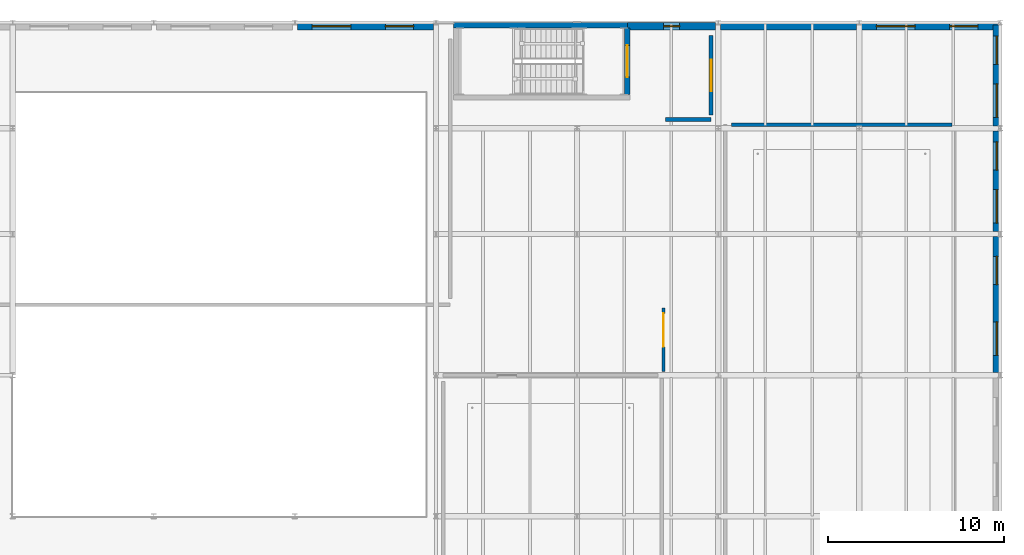
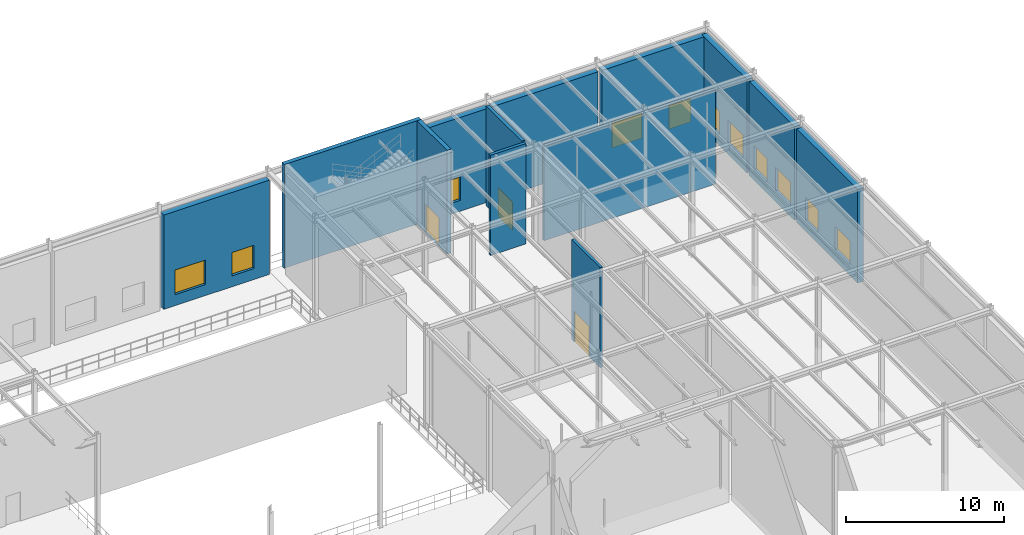
# One storey, part 99 of 138: 13 walls, 11 windows, 3 doors, 14 openings.
"""IFC4 building model written with IfcOpenShell, lengths in metres."""

from ifc_helpers import new_model, si_unit, direction, frame, frame_2d, origin, place, context, subcontext, project, spatial, rectangle, extrude, material, layer, layer_set, type_object, element, fill, save


model = new_model("IFC4")

# Units and contexts
model_context = context("Model", 3, precision=1e-05, world=origin(), true_north=direction((0.0, 1.0)))
body_context = subcontext(model_context, "Body", "Model", "MODEL_VIEW")
ifc_project = project(units=[si_unit("LENGTHUNIT", "METRE"), si_unit("AREAUNIT", "SQUARE_METRE"), si_unit("VOLUMEUNIT", "CUBIC_METRE"), si_unit("PLANEANGLEUNIT", "RADIAN"), si_unit("MASSUNIT", "GRAM", prefix="KILO")], contexts=[model_context])

# Site, building, storey
site_placement = place(None, origin())
site = spatial("IfcSite", under=ifc_project, at=site_placement, CompositionType="ELEMENT")
building_placement = place(site_placement, origin())
building = spatial("IfcBuilding", under=site, at=building_placement, Name="Sundkrona Museum", CompositionType="ELEMENT")
storey_placement = place(building_placement, frame((0.0, 0.0, 9.60009765625)))
storey = spatial("IfcBuildingStorey", under=building, at=storey_placement, Name="L02", CompositionType="ELEMENT", Elevation=9.60009765625)

# Wall
ifc_material_1 = material(Name="Concrete C40/50", Category="concrete")
ifc_layer_1 = layer(ifc_material_1, 0.300048828125)
ifc_layer_set_1 = layer_set([ifc_layer_1], Name="Concrete C40/50")
wall_type_1 = type_object("IfcWallType", Name="W-CORE-300", PredefinedType="SHEAR", material=ifc_layer_set_1)
wall_1_placement = place(storey_placement, frame((137.0, 113.85009765625, 0.0), z_axis=(0.0, 0.0, 1.0), x_axis=(1.0, 0.0, 0.0)))
element("IfcWall", 1, at=wall_1_placement, inside=storey, type_object=wall_type_1, Name="L02 ST-5 Core Shear Wall North", PredefinedType="SHEAR", context=body_context, shape_type="SweptSolid", body=[
    extrude(rectangle(XDim=10.0, YDim=0.300048828125, at=frame_2d((5.0, 0.0))), origin(), (0.0, 0.0, 1.0), 8.0),
])

# Wall, opening, door
wall_2_placement = place(storey_placement, frame((146.85009765625, 109.909912109375, 0.0), z_axis=(0.0, 0.0, 1.0), x_axis=(0.0, 1.0, 0.0)))
wall_2 = element("IfcWall", 2, at=wall_2_placement, inside=storey, type_object=wall_type_1, Name="L02 ST-5 Core Shear Wall East", PredefinedType="SHEAR", context=body_context, shape_type="SweptSolid", body=[
    extrude(rectangle(XDim=3.780029296875, YDim=0.300048828125, at=frame_2d((1.89013671875, 0.0))), origin(), (0.0, 0.0, 1.0), 8.0),
])
opening_1_placement = place(wall_2_placement, frame((0.989990234375, 0.0, 0.0)))
opening_1 = element("IfcOpeningElement", 3, at=opening_1_placement, cuts=wall_2, Name="Opening D-FD60", PredefinedType="OPENING", context=body_context, shape_type="SweptSolid", body=[
    extrude(rectangle(XDim=1.800048828125, YDim=2.199951171875, at=frame_2d((0.89990234375, 1.10009765625))), frame((0.0, 0.159912109375, 0.0), z_axis=(0.0, -1.0, 0.0), x_axis=(1.0, 0.0, 0.0)), (0.0, 0.0, 1.0), 0.320068359375),
])
ifc_material_2 = material(Name="Steel S355J2 Fire Door Leaf", Category="steel")
door_type_1 = type_object("IfcDoorType", Name="D-FD60", OperationType="DOUBLE_DOOR_SINGLE_SWING", PredefinedType="DOOR", material=ifc_material_2)
door_1_placement = place(opening_1_placement, origin())
door_1 = element("IfcDoor", 4, at=door_1_placement, inside=storey, type_object=door_type_1, Name="L02 ST-5 Protected Escape Stair Door DR-ST-5-L02", OperationType="DOUBLE_DOOR_SINGLE_SWING", OverallHeight=2.199951171875, OverallWidth=1.800048828125, PredefinedType="DOOR", context=body_context, shape_type="SweptSolid", body=[
    extrude(rectangle(XDim=1.800048828125, YDim=2.199951171875, at=frame_2d((0.89990234375, 1.10009765625))), frame((0.0, 0.02490234375, 0.0), z_axis=(0.0, -1.0, 0.0), x_axis=(1.0, 0.0, 0.0)), (0.0, 0.0, 1.0), 0.050048828125),
])
fill(opening_1, door_1)

# Wall, openings, windows
ifc_material_3 = material(Name="Scanian Polychrome Clay Brickwork 420 mm", Category="masonry")
ifc_layer_2 = layer(ifc_material_3, 0.419921875)
ifc_layer_set_2 = layer_set([ifc_layer_2], Name="Scanian Polychrome Clay Brickwork 420 mm")
wall_type_2 = type_object("IfcWallType", Name="W-EX-420", PredefinedType="SOLIDWALL", material=ifc_layer_set_2)
wall_3_placement = place(storey_placement, frame((167.7900390625, 101.85791015625, 0.0), z_axis=(0.0, 0.0, 1.0), x_axis=(0.0, -1.0, 0.0)))
wall_3 = element("IfcWall", 5, at=wall_3_placement, inside=storey, type_object=wall_type_2, Name="L02 Facade Wall 0353", PredefinedType="SOLIDWALL", context=body_context, shape_type="SweptSolid", body=[
    extrude(rectangle(XDim=7.7158203125, YDim=0.419921875, at=frame_2d((3.85791015625, 0.0))), origin(), (0.0, 0.0, 1.0), 7.244873046875),
])
opening_2_placement = place(wall_3_placement, frame((1.12890625, 0.0, 0.85009765625)))
opening_2 = element("IfcOpeningElement", 6, at=opening_2_placement, cuts=wall_3, Name="Opening WN-LB-160x180", PredefinedType="OPENING", context=body_context, shape_type="SweptSolid", body=[
    extrude(rectangle(XDim=1.60009765625, YDim=1.800048828125, at=frame_2d((0.800048828125, 0.89990234375))), frame((0.0, 0.219970703125, 0.0), z_axis=(0.0, -1.0, 0.0), x_axis=(1.0, 0.0, 0.0)), (0.0, 0.0, 1.0), 0.43994140625),
])
opening_3_placement = place(wall_3_placement, frame((4.8369140625, 0.0, 0.85009765625)))
opening_3 = element("IfcOpeningElement", 7, at=opening_3_placement, cuts=wall_3, Name="Opening WN-LB-190x180", PredefinedType="OPENING", context=body_context, shape_type="SweptSolid", body=[
    extrude(rectangle(XDim=1.89990234375, YDim=1.800048828125, at=frame_2d((0.949951171875, 0.89990234375))), frame((0.0, 0.219970703125, 0.0), z_axis=(0.0, -1.0, 0.0), x_axis=(1.0, 0.0, 0.0)), (0.0, 0.0, 1.0), 0.43994140625),
])
ifc_material_4 = material(Name="Triple Low-E Argon Glazing in Bronze-Anodised Aluminium", Category="aluminium")
window_type_1 = type_object("IfcWindowType", Name="WN-LB-160x180", PartitioningType="DOUBLE_PANEL_VERTICAL", PredefinedType="WINDOW", material=ifc_material_4)
window_1_placement = place(opening_2_placement, origin())
window_1 = element("IfcWindow", 8, at=window_1_placement, inside=storey, type_object=window_type_1, Name="L02 Conservation laboratory deep-reveal window 1600x1800 WIN-L02-0452", OverallHeight=1.800048828125, OverallWidth=1.60009765625, PartitioningType="DOUBLE_PANEL_VERTICAL", PredefinedType="WINDOW", context=body_context, shape_type="SweptSolid", body=[
    extrude(rectangle(XDim=1.60009765625, YDim=1.800048828125, at=frame_2d((0.800048828125, 0.89990234375))), frame((0.0, 0.030029296875, 0.0), z_axis=(0.0, -1.0, 0.0), x_axis=(1.0, 0.0, 0.0)), (0.0, 0.0, 1.0), 0.06005859375),
])
fill(opening_2, window_1)
window_type_2 = type_object("IfcWindowType", Name="WN-LB-190x180", PartitioningType="DOUBLE_PANEL_VERTICAL", PredefinedType="WINDOW", material=ifc_material_4)
window_2_placement = place(opening_3_placement, origin())
window_2 = element("IfcWindow", 9, at=window_2_placement, inside=storey, type_object=window_type_2, Name="L02 Analytical studio bench-height window 1900x1800 WIN-L02-0453", OverallHeight=1.800048828125, OverallWidth=1.89990234375, PartitioningType="DOUBLE_PANEL_VERTICAL", PredefinedType="WINDOW", context=body_context, shape_type="SweptSolid", body=[
    extrude(rectangle(XDim=1.89990234375, YDim=1.800048828125, at=frame_2d((0.949951171875, 0.89990234375))), frame((0.0, 0.030029296875, 0.0), z_axis=(0.0, -1.0, 0.0), x_axis=(1.0, 0.0, 0.0)), (0.0, 0.0, 1.0), 0.06005859375),
])
fill(opening_3, window_2)

wall_4_placement = place(storey_placement, frame((167.7900390625, 107.85791015625, 0.0), z_axis=(0.0, 0.0, 1.0), x_axis=(0.0, -1.0, 0.0)))
wall_4 = element("IfcWall", 10, at=wall_4_placement, inside=storey, type_object=wall_type_2, Name="L02 Facade Wall 0354", PredefinedType="SOLIDWALL", context=body_context, shape_type="SweptSolid", body=[
    extrude(rectangle(XDim=5.7158203125, YDim=0.419921875, at=frame_2d((2.85791015625, 0.0))), origin(), (0.0, 0.0, 1.0), 7.244873046875),
])
opening_4_placement = place(wall_4_placement, frame((0.62890625, 0.0, 0.85009765625)))
opening_4 = element("IfcOpeningElement", 11, at=opening_4_placement, cuts=wall_4, Name="Opening WN-LB-160x180", PredefinedType="OPENING", context=body_context, shape_type="SweptSolid", body=[
    extrude(rectangle(XDim=1.60009765625, YDim=1.800048828125, at=frame_2d((0.800048828125, 0.89990234375))), frame((0.0, 0.219970703125, 0.0), z_axis=(0.0, -1.0, 0.0), x_axis=(1.0, 0.0, 0.0)), (0.0, 0.0, 1.0), 0.43994140625),
])
opening_5_placement = place(wall_4_placement, frame((3.3369140625, 0.0, 0.85009765625)))
opening_5 = element("IfcOpeningElement", 12, at=opening_5_placement, cuts=wall_4, Name="Opening WN-LB-190x180", PredefinedType="OPENING", context=body_context, shape_type="SweptSolid", body=[
    extrude(rectangle(XDim=1.89990234375, YDim=1.800048828125, at=frame_2d((0.949951171875, 0.89990234375))), frame((0.0, 0.219970703125, 0.0), z_axis=(0.0, -1.0, 0.0), x_axis=(1.0, 0.0, 0.0)), (0.0, 0.0, 1.0), 0.43994140625),
])
window_3_placement = place(opening_4_placement, origin())
window_3 = element("IfcWindow", 13, at=window_3_placement, inside=storey, type_object=window_type_1, Name="L02 Conservation laboratory deep-reveal window 1600x1800 WIN-L02-0454", OverallHeight=1.800048828125, OverallWidth=1.60009765625, PartitioningType="DOUBLE_PANEL_VERTICAL", PredefinedType="WINDOW", context=body_context, shape_type="SweptSolid", body=[
    extrude(rectangle(XDim=1.60009765625, YDim=1.800048828125, at=frame_2d((0.800048828125, 0.89990234375))), frame((0.0, 0.030029296875, 0.0), z_axis=(0.0, -1.0, 0.0), x_axis=(1.0, 0.0, 0.0)), (0.0, 0.0, 1.0), 0.06005859375),
])
fill(opening_4, window_3)
window_4_placement = place(opening_5_placement, origin())
window_4 = element("IfcWindow", 14, at=window_4_placement, inside=storey, type_object=window_type_2, Name="L02 Analytical studio bench-height window 1900x1800 WIN-L02-0455", OverallHeight=1.800048828125, OverallWidth=1.89990234375, PartitioningType="DOUBLE_PANEL_VERTICAL", PredefinedType="WINDOW", context=body_context, shape_type="SweptSolid", body=[
    extrude(rectangle(XDim=1.89990234375, YDim=1.800048828125, at=frame_2d((0.949951171875, 0.89990234375))), frame((0.0, 0.030029296875, 0.0), z_axis=(0.0, -1.0, 0.0), x_axis=(1.0, 0.0, 0.0)), (0.0, 0.0, 1.0), 0.06005859375),
])
fill(opening_5, window_4)

wall_5_placement = place(storey_placement, frame((167.7900390625, 113.85791015625, 0.0), z_axis=(0.0, 0.0, 1.0), x_axis=(0.0, -1.0, 0.0)))
wall_5 = element("IfcWall", 15, at=wall_5_placement, inside=storey, type_object=wall_type_2, Name="L02 Facade Wall 0355", PredefinedType="SOLIDWALL", context=body_context, shape_type="SweptSolid", body=[
    extrude(rectangle(XDim=5.7158203125, YDim=0.419921875, at=frame_2d((2.85791015625, 0.0))), origin(), (0.0, 0.0, 1.0), 7.244873046875),
])
opening_6_placement = place(wall_5_placement, frame((0.62890625, 0.0, 0.85009765625)))
opening_6 = element("IfcOpeningElement", 16, at=opening_6_placement, cuts=wall_5, Name="Opening WN-LB-160x180", PredefinedType="OPENING", context=body_context, shape_type="SweptSolid", body=[
    extrude(rectangle(XDim=1.60009765625, YDim=1.800048828125, at=frame_2d((0.800048828125, 0.89990234375))), frame((0.0, 0.219970703125, 0.0), z_axis=(0.0, -1.0, 0.0), x_axis=(1.0, 0.0, 0.0)), (0.0, 0.0, 1.0), 0.43994140625),
])
opening_7_placement = place(wall_5_placement, frame((3.3369140625, 0.0, 0.85009765625)))
opening_7 = element("IfcOpeningElement", 17, at=opening_7_placement, cuts=wall_5, Name="Opening WN-LB-190x180", PredefinedType="OPENING", context=body_context, shape_type="SweptSolid", body=[
    extrude(rectangle(XDim=1.89990234375, YDim=1.800048828125, at=frame_2d((0.949951171875, 0.89990234375))), frame((0.0, 0.219970703125, 0.0), z_axis=(0.0, -1.0, 0.0), x_axis=(1.0, 0.0, 0.0)), (0.0, 0.0, 1.0), 0.43994140625),
])
window_5_placement = place(opening_6_placement, origin())
window_5 = element("IfcWindow", 18, at=window_5_placement, inside=storey, type_object=window_type_1, Name="L02 Conservation laboratory deep-reveal window 1600x1800 WIN-L02-0456", OverallHeight=1.800048828125, OverallWidth=1.60009765625, PartitioningType="DOUBLE_PANEL_VERTICAL", PredefinedType="WINDOW", context=body_context, shape_type="SweptSolid", body=[
    extrude(rectangle(XDim=1.60009765625, YDim=1.800048828125, at=frame_2d((0.800048828125, 0.89990234375))), frame((0.0, 0.030029296875, 0.0), z_axis=(0.0, -1.0, 0.0), x_axis=(1.0, 0.0, 0.0)), (0.0, 0.0, 1.0), 0.06005859375),
])
fill(opening_6, window_5)
window_6_placement = place(opening_7_placement, origin())
window_6 = element("IfcWindow", 19, at=window_6_placement, inside=storey, type_object=window_type_2, Name="L02 Analytical studio bench-height window 1900x1800 WIN-L02-0457", OverallHeight=1.800048828125, OverallWidth=1.89990234375, PartitioningType="DOUBLE_PANEL_VERTICAL", PredefinedType="WINDOW", context=body_context, shape_type="SweptSolid", body=[
    extrude(rectangle(XDim=1.89990234375, YDim=1.800048828125, at=frame_2d((0.949951171875, 0.89990234375))), frame((0.0, 0.030029296875, 0.0), z_axis=(0.0, -1.0, 0.0), x_axis=(1.0, 0.0, 0.0)), (0.0, 0.0, 1.0), 0.06005859375),
])
fill(opening_7, window_6)

wall_6_placement = place(storey_placement, frame((128.14208984375, 113.7900390625, 0.0), z_axis=(0.0, 0.0, 1.0), x_axis=(1.0, 0.0, 0.0)))
wall_6 = element("IfcWall", 20, at=wall_6_placement, inside=storey, type_object=wall_type_2, Name="L02 Facade Wall 0359", PredefinedType="SOLIDWALL", context=body_context, shape_type="SweptSolid", body=[
    extrude(rectangle(XDim=7.7158203125, YDim=0.419921875, at=frame_2d((3.85791015625, 0.0))), origin(), (0.0, 0.0, 1.0), 7.284912109375),
])
opening_8_placement = place(wall_6_placement, frame((0.8291015625, 0.0, 0.85009765625)))
opening_8 = element("IfcOpeningElement", 21, at=opening_8_placement, cuts=wall_6, Name="Opening WN-LB-220x190", PredefinedType="OPENING", context=body_context, shape_type="SweptSolid", body=[
    extrude(rectangle(XDim=2.199951171875, YDim=1.89990234375, at=frame_2d((1.10009765625, 0.949951171875))), frame((0.0, 0.219970703125, 0.0), z_axis=(0.0, -1.0, 0.0), x_axis=(1.0, 0.0, 0.0)), (0.0, 0.0, 1.0), 0.43994140625),
])
opening_9_placement = place(wall_6_placement, frame((4.987060546875, 0.0, 0.85009765625)))
opening_9 = element("IfcOpeningElement", 22, at=opening_9_placement, cuts=wall_6, Name="Opening WN-LB-160x180", PredefinedType="OPENING", context=body_context, shape_type="SweptSolid", body=[
    extrude(rectangle(XDim=1.60009765625, YDim=1.800048828125, at=frame_2d((0.800048828125, 0.89990234375))), frame((0.0, 0.219970703125, 0.0), z_axis=(0.0, -1.0, 0.0), x_axis=(1.0, 0.0, 0.0)), (0.0, 0.0, 1.0), 0.43994140625),
])
window_7_placement = place(opening_9_placement, origin())
window_7 = element("IfcWindow", 23, at=window_7_placement, inside=storey, type_object=window_type_1, Name="L02 Conservation laboratory deep-reveal window 1600x1800 WIN-L02-0465", OverallHeight=1.800048828125, OverallWidth=1.60009765625, PartitioningType="DOUBLE_PANEL_VERTICAL", PredefinedType="WINDOW", context=body_context, shape_type="SweptSolid", body=[
    extrude(rectangle(XDim=1.60009765625, YDim=1.800048828125, at=frame_2d((0.800048828125, 0.89990234375))), frame((0.0, 0.030029296875, 0.0), z_axis=(0.0, -1.0, 0.0), x_axis=(1.0, 0.0, 0.0)), (0.0, 0.0, 1.0), 0.06005859375),
])
fill(opening_9, window_7)
window_type_3 = type_object("IfcWindowType", Name="WN-LB-220x190", PartitioningType="TRIPLE_PANEL_VERTICAL", PredefinedType="WINDOW", material=ifc_material_4)
window_8_placement = place(opening_8_placement, origin())
window_8 = element("IfcWindow", 24, at=window_8_placement, inside=storey, type_object=window_type_3, Name="L02 Restoration studio north-light window 2200x1900 WIN-L02-0464", OverallHeight=1.89990234375, OverallWidth=2.199951171875, PartitioningType="TRIPLE_PANEL_VERTICAL", PredefinedType="WINDOW", context=body_context, shape_type="SweptSolid", body=[
    extrude(rectangle(XDim=2.199951171875, YDim=1.89990234375, at=frame_2d((1.10009765625, 0.949951171875))), frame((0.0, 0.030029296875, 0.0), z_axis=(0.0, -1.0, 0.0), x_axis=(1.0, 0.0, 0.0)), (0.0, 0.0, 1.0), 0.06005859375),
])
fill(opening_8, window_8)

# Wall, opening, window
wall_7_placement = place(storey_placement, frame((146.860107421875, 113.7900390625, 0.0), z_axis=(0.0, 0.0, 1.0), x_axis=(1.0, 0.0, 0.0)))
wall_7 = element("IfcWall", 25, at=wall_7_placement, inside=storey, type_object=wall_type_2, Name="L02 Facade Wall 0360", PredefinedType="SOLIDWALL", context=body_context, shape_type="SweptSolid", body=[
    extrude(rectangle(XDim=4.997802734375, YDim=0.419921875, at=frame_2d((2.4990234375, 0.0))), origin(), (0.0, 0.0, 1.0), 7.244873046875),
])
opening_10_placement = place(wall_7_placement, frame((2.049072265625, 0.0, 0.85009765625)))
opening_10 = element("IfcOpeningElement", 26, at=opening_10_placement, cuts=wall_7, Name="Opening WN-ST-090x180", PredefinedType="OPENING", context=body_context, shape_type="SweptSolid", body=[
    extrude(rectangle(XDim=0.89990234375, YDim=1.800048828125, at=frame_2d((0.449951171875, 0.89990234375))), frame((0.0, 0.219970703125, 0.0), z_axis=(0.0, -1.0, 0.0), x_axis=(1.0, 0.0, 0.0)), (0.0, 0.0, 1.0), 0.43994140625),
])
window_type_4 = type_object("IfcWindowType", Name="WN-ST-090x180", PartitioningType="SINGLE_PANEL", PredefinedType="WINDOW", material=ifc_material_4)
window_9_placement = place(opening_10_placement, origin())
window_9 = element("IfcWindow", 27, at=window_9_placement, inside=storey, type_object=window_type_4, Name="L02 Stair-core avenue daylight slot window 900x1800 WIN-L02-0466", OverallHeight=1.800048828125, OverallWidth=0.89990234375, PartitioningType="SINGLE_PANEL", PredefinedType="WINDOW", context=body_context, shape_type="SweptSolid", body=[
    extrude(rectangle(XDim=0.89990234375, YDim=1.800048828125, at=frame_2d((0.449951171875, 0.89990234375))), frame((0.0, 0.030029296875, 0.0), z_axis=(0.0, -1.0, 0.0), x_axis=(1.0, 0.0, 0.0)), (0.0, 0.0, 1.0), 0.06005859375),
])
fill(opening_10, window_9)

# Wall
wall_8_placement = place(storey_placement, frame((152.14208984375, 113.7900390625, 0.0), z_axis=(0.0, 0.0, 1.0), x_axis=(1.0, 0.0, 0.0)))
element("IfcWall", 28, at=wall_8_placement, inside=storey, type_object=wall_type_2, Name="L02 Facade Wall 0361", PredefinedType="SOLIDWALL", context=body_context, shape_type="SweptSolid", body=[
    extrude(rectangle(XDim=7.7158203125, YDim=0.419921875, at=frame_2d((3.85791015625, 0.0))), origin(), (0.0, 0.0, 1.0), 7.244873046875),
])

# Wall, openings, windows
wall_9_placement = place(storey_placement, frame((160.14208984375, 113.7900390625, 0.0), z_axis=(0.0, 0.0, 1.0), x_axis=(1.0, 0.0, 0.0)))
wall_9 = element("IfcWall", 29, at=wall_9_placement, inside=storey, type_object=wall_type_2, Name="L02 Facade Wall 0362", PredefinedType="SOLIDWALL", context=body_context, shape_type="SweptSolid", body=[
    extrude(rectangle(XDim=7.7158203125, YDim=0.419921875, at=frame_2d((3.85791015625, 0.0))), origin(), (0.0, 0.0, 1.0), 7.244873046875),
])
opening_11_placement = place(wall_9_placement, frame((0.8291015625, 0.0, 0.85009765625)))
opening_11 = element("IfcOpeningElement", 30, at=opening_11_placement, cuts=wall_9, Name="Opening WN-LB-220x190", PredefinedType="OPENING", context=body_context, shape_type="SweptSolid", body=[
    extrude(rectangle(XDim=2.199951171875, YDim=1.89990234375, at=frame_2d((1.10009765625, 0.949951171875))), frame((0.0, 0.219970703125, 0.0), z_axis=(0.0, -1.0, 0.0), x_axis=(1.0, 0.0, 0.0)), (0.0, 0.0, 1.0), 0.43994140625),
])
opening_12_placement = place(wall_9_placement, frame((4.987060546875, 0.0, 0.85009765625)))
opening_12 = element("IfcOpeningElement", 31, at=opening_12_placement, cuts=wall_9, Name="Opening WN-LB-160x180", PredefinedType="OPENING", context=body_context, shape_type="SweptSolid", body=[
    extrude(rectangle(XDim=1.60009765625, YDim=1.800048828125, at=frame_2d((0.800048828125, 0.89990234375))), frame((0.0, 0.219970703125, 0.0), z_axis=(0.0, -1.0, 0.0), x_axis=(1.0, 0.0, 0.0)), (0.0, 0.0, 1.0), 0.43994140625),
])
window_10_placement = place(opening_12_placement, origin())
window_10 = element("IfcWindow", 32, at=window_10_placement, inside=storey, type_object=window_type_1, Name="L02 Conservation laboratory deep-reveal window 1600x1800 WIN-L02-0468", OverallHeight=1.800048828125, OverallWidth=1.60009765625, PartitioningType="DOUBLE_PANEL_VERTICAL", PredefinedType="WINDOW", context=body_context, shape_type="SweptSolid", body=[
    extrude(rectangle(XDim=1.60009765625, YDim=1.800048828125, at=frame_2d((0.800048828125, 0.89990234375))), frame((0.0, 0.030029296875, 0.0), z_axis=(0.0, -1.0, 0.0), x_axis=(1.0, 0.0, 0.0)), (0.0, 0.0, 1.0), 0.06005859375),
])
fill(opening_12, window_10)
window_11_placement = place(opening_11_placement, origin())
window_11 = element("IfcWindow", 33, at=window_11_placement, inside=storey, type_object=window_type_3, Name="L02 Restoration studio north-light window 2200x1900 WIN-L02-0467", OverallHeight=1.89990234375, OverallWidth=2.199951171875, PartitioningType="TRIPLE_PANEL_VERTICAL", PredefinedType="WINDOW", context=body_context, shape_type="SweptSolid", body=[
    extrude(rectangle(XDim=2.199951171875, YDim=1.89990234375, at=frame_2d((1.10009765625, 0.949951171875))), frame((0.0, 0.030029296875, 0.0), z_axis=(0.0, -1.0, 0.0), x_axis=(1.0, 0.0, 0.0)), (0.0, 0.0, 1.0), 0.06005859375),
])
fill(opening_11, window_11)

# Wall
ifc_material_5 = material(Name="Autoclaved Aerated Masonry 225 mm", Category="masonry")
ifc_layer_3 = layer(ifc_material_5, 0.22509765625)
ifc_layer_set_3 = layer_set([ifc_layer_3], Name="Autoclaved Aerated Masonry 225 mm")
wall_type_3 = type_object("IfcWallType", Name="W-FF-225", PredefinedType="SOLIDWALL", material=ifc_layer_set_3)
wall_10_placement = place(storey_placement, frame((149.0, 108.5, 0.0), z_axis=(0.0, 0.0, 1.0), x_axis=(1.0, 0.0, 0.0)))
element("IfcWall", 34, at=wall_10_placement, inside=storey, type_object=wall_type_3, Name="L02 Partition Core 5 Stair Lobby / East Conservation Corridor", PredefinedType="SOLIDWALL", context=body_context, shape_type="SweptSolid", body=[
    extrude(rectangle(XDim=2.60009765625, YDim=0.22509765625, at=frame_2d((1.300048828125, 0.0))), origin(), (0.0, 0.0, 1.0), 7.739990234375),
])

# Wall, opening, door
wall_11_placement = place(storey_placement, frame((151.60009765625, 113.25, 0.0), z_axis=(0.0, 0.0, 1.0), x_axis=(0.0, -1.0, 0.0)))
wall_11 = element("IfcWall", 35, at=wall_11_placement, inside=storey, type_object=wall_type_3, Name="L02 Core 5 Stair Lobby Enclosure Wall E", PredefinedType="SOLIDWALL", context=body_context, shape_type="SweptSolid", body=[
    extrude(rectangle(XDim=4.5, YDim=0.22509765625, at=frame_2d((2.25, 0.0))), origin(), (0.0, 0.0, 1.0), 7.739990234375),
])
opening_13_placement = place(wall_11_placement, frame((1.35009765625, 0.0, 0.0)))
opening_13 = element("IfcOpeningElement", 36, at=opening_13_placement, cuts=wall_11, Name="Opening D-FD60", PredefinedType="OPENING", context=body_context, shape_type="SweptSolid", body=[
    extrude(rectangle(XDim=1.800048828125, YDim=2.199951171875, at=frame_2d((0.89990234375, 1.10009765625))), frame((0.0, 0.12255859375, 0.0), z_axis=(0.0, -1.0, 0.0), x_axis=(1.0, 0.0, 0.0)), (0.0, 0.0, 1.0), 0.2451171875),
])
door_2_placement = place(opening_13_placement, origin())
door_2 = element("IfcDoor", 37, at=door_2_placement, inside=storey, type_object=door_type_1, Name="L02 Interior Door DR-INT-L02-0145", OperationType="DOUBLE_DOOR_SINGLE_SWING", OverallHeight=2.199951171875, OverallWidth=1.800048828125, PredefinedType="DOOR", context=body_context, shape_type="SweptSolid", body=[
    extrude(rectangle(XDim=1.800048828125, YDim=2.199951171875, at=frame_2d((0.89990234375, 1.10009765625))), frame((0.0, 0.02490234375, 0.0), z_axis=(0.0, -1.0, 0.0), x_axis=(1.0, 0.0, 0.0)), (0.0, 0.0, 1.0), 0.050048828125),
])
fill(opening_13, door_2)

ifc_material_6 = material(Name="Fire-rated Gypsum Partition Board 175 mm", Category="other")
ifc_layer_4 = layer(ifc_material_6, 0.175048828125)
ifc_layer_set_4 = layer_set([ifc_layer_4], Name="Fire-rated Gypsum Partition Board 175 mm")
wall_type_4 = type_object("IfcWallType", Name="W-PT-175", PredefinedType="PARTITIONING", material=ifc_layer_set_4)
wall_12_placement = place(storey_placement, frame((148.89990234375, 94.199951171875, 0.0), z_axis=(0.0, 0.0, 1.0), x_axis=(0.0, 1.0, 0.0)))
wall_12 = element("IfcWall", 38, at=wall_12_placement, inside=storey, type_object=wall_type_4, Name="L02 Partition East Conservation Corridor / Volume 5 Conservation Spine", PredefinedType="PARTITIONING", context=body_context, shape_type="SweptSolid", body=[
    extrude(rectangle(XDim=3.60009765625, YDim=0.175048828125, at=frame_2d((1.800048828125, 0.0))), origin(), (0.0, 0.0, 1.0), 7.739990234375),
])
opening_14_placement = place(wall_12_placement, frame((1.39990234375, 0.0, 0.0)))
opening_14 = element("IfcOpeningElement", 39, at=opening_14_placement, cuts=wall_12, Name="Opening D-AUD-190", PredefinedType="OPENING", context=body_context, shape_type="SweptSolid", body=[
    extrude(rectangle(XDim=1.89990234375, YDim=2.35009765625, at=frame_2d((0.949951171875, 1.175048828125))), frame((0.0, 0.097412109375, 0.0), z_axis=(0.0, -1.0, 0.0), x_axis=(1.0, 0.0, 0.0)), (0.0, 0.0, 1.0), 0.195068359375),
])
ifc_material_7 = material(Name="Acoustic Oak Fire Door", Category="other")
door_type_2 = type_object("IfcDoorType", Name="D-AUD-190", OperationType="DOUBLE_DOOR_SINGLE_SWING", PredefinedType="DOOR", material=ifc_material_7)
door_3_placement = place(opening_14_placement, origin())
door_3 = element("IfcDoor", 40, at=door_3_placement, inside=storey, type_object=door_type_2, Name="L02 Interior Door DR-ADJ-L02-0130", OperationType="DOUBLE_DOOR_SINGLE_SWING", OverallHeight=2.35009765625, OverallWidth=1.89990234375, PredefinedType="DOOR", context=body_context, shape_type="SweptSolid", body=[
    extrude(rectangle(XDim=1.89990234375, YDim=2.35009765625, at=frame_2d((0.949951171875, 1.175048828125))), frame((0.0, 0.02490234375, 0.0), z_axis=(0.0, -1.0, 0.0), x_axis=(1.0, 0.0, 0.0)), (0.0, 0.0, 1.0), 0.050048828125),
])
fill(opening_14, door_3)

# Wall
ifc_material_8 = material(Name="Moisture-resistant Tile Partition 200 mm", Category="other")
ifc_layer_5 = layer(ifc_material_8, 0.199951171875)
ifc_layer_set_5 = layer_set([ifc_layer_5], Name="Moisture-resistant Tile Partition 200 mm")
wall_type_5 = type_object("IfcWallType", Name="W-PT-200", PredefinedType="PARTITIONING", material=ifc_layer_set_5)
wall_13_placement = place(storey_placement, frame((152.75, 108.199951171875, 0.0), z_axis=(0.0, 0.0, 1.0), x_axis=(1.0, 0.0, 0.0)))
element("IfcWall", 41, at=wall_13_placement, inside=storey, type_object=wall_type_5, Name="L02 Painting Restoration Studio Enclosure Wall N", PredefinedType="PARTITIONING", context=body_context, shape_type="SweptSolid", body=[
    extrude(rectangle(XDim=12.5, YDim=0.199951171875, at=frame_2d((6.25, 0.0))), origin(), (0.0, 0.0, 1.0), 7.309814453125),
])

save(model, "model.ifc")
